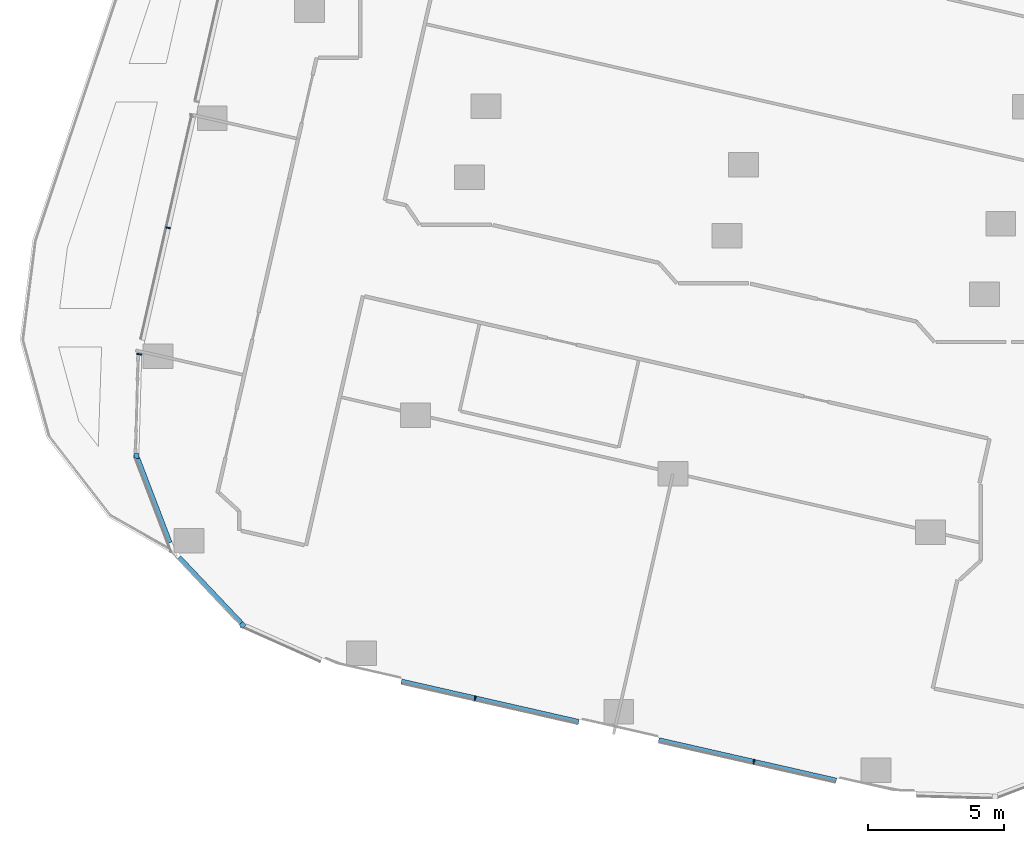
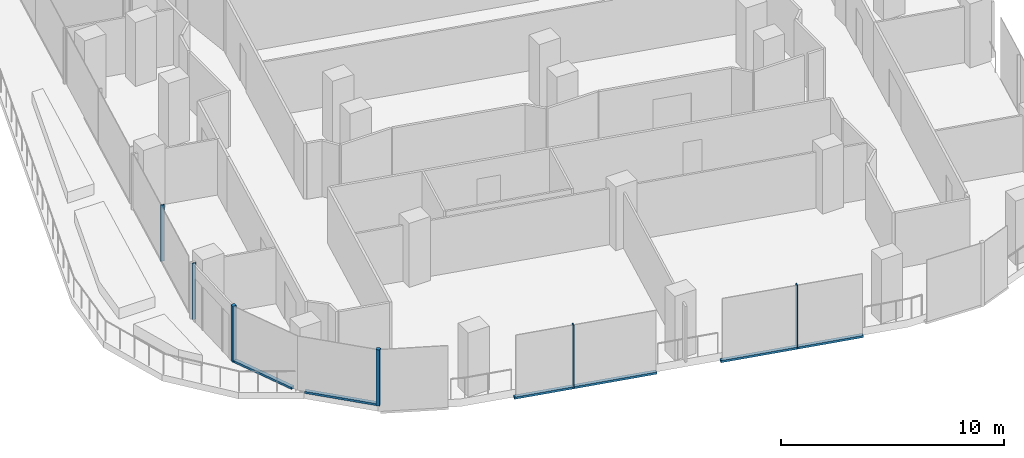
# One storey, part 2 of 28: 10 members, 5 elements without a shape of their own.
"""IFC4 building model written with IfcOpenShell, lengths in metres."""

from ifc_helpers import new_model, si_unit, direction, frame, origin, origin_2d, place, context, subcontext, project, spatial, rectangle, extrude, material, material_profile, profile_set, type_object, element, aggregate, save


model = new_model("IFC4")

# Units and contexts
model_context = context("Model", 3, precision=1e-05, world=origin(), true_north=direction((0.0, 1.0)))
body_context = subcontext(model_context, "Body", "Model", "MODEL_VIEW")
ifc_project = project(units=[si_unit("LENGTHUNIT", "METRE"), si_unit("AREAUNIT", "SQUARE_METRE"), si_unit("VOLUMEUNIT", "CUBIC_METRE"), si_unit("PLANEANGLEUNIT", "RADIAN"), si_unit("MASSUNIT", "GRAM", prefix="KILO")], contexts=[model_context])

# Site, building, storey
site_placement = place(None, origin())
site = spatial("IfcSite", under=ifc_project, at=site_placement, CompositionType="ELEMENT")
building_placement = place(site_placement, origin())
building = spatial("IfcBuilding", under=site, at=building_placement, Name="Orlundy Tower", CompositionType="ELEMENT")
storey_placement = place(building_placement, frame((0.0, 0.0, 167.10009765625)))
storey = spatial("IfcBuildingStorey", under=building, at=storey_placement, Name="L43", CompositionType="ELEMENT", Elevation=167.10009765625)

# Curtain wall, member
ifc_material_1 = material(Name="Aluminium bronze anodised", Category="aluminium")
curtain_wall_type = type_object("IfcCurtainWallType", Name="CW1 wall", PredefinedType="NOTDEFINED", material=ifc_material_1)
curtain_wall_1_placement = place(storey_placement, origin())
curtain_wall_1 = element("IfcCurtainWall", 1, at=curtain_wall_1_placement, inside=storey, type_object=curtain_wall_type, Name="CW1 run 025", PredefinedType="NOTDEFINED")
ifc_material_2 = material(Name="Aluminium bronze anodised", Category="aluminium")
ifc_material_profile_1 = material_profile(ifc_material_2, rectangle(XDim=0.179931640625, YDim=0.179931640625, at=origin_2d()), Name="CW1 corner post 180x180")
ifc_profile_set_1 = profile_set([ifc_material_profile_1], Name="Aluminium bronze anodised")
member_type_1 = type_object("IfcMemberType", Name="CW1 corner post 180x180", PredefinedType="MULLION", material=ifc_profile_set_1)
member_1_placement = place(storey_placement, frame((-27.113037109375, -55.21875, 0.0), z_axis=(0.0, 0.0, 1.0), x_axis=(-0.726526655942, -0.68713828172, 0.0)))
member_1 = element("IfcMember", 2, at=member_1_placement, type_object=member_type_1, Name="CW1 mullion 58", PredefinedType="MULLION", context=body_context, shape_type="SweptSolid", body=[
    extrude(rectangle(XDim=0.179931640625, YDim=0.179931640625, at=origin_2d()), origin(), (0.0, 0.0, 1.0), 3.079833984375),
])

curtain_wall_2_placement = place(storey_placement, origin())
curtain_wall_2 = element("IfcCurtainWall", 3, at=curtain_wall_2_placement, inside=storey, type_object=curtain_wall_type, Name="CW1 run 027", PredefinedType="NOTDEFINED")
member_2_placement = place(storey_placement, frame((-31.021484375, -49.00439453125, 0.0), z_axis=(0.0, 0.0, 1.0), x_axis=(-0.999613796342, 0.027789533343, 0.0)))
member_2 = element("IfcMember", 4, at=member_2_placement, type_object=member_type_1, Name="CW1 mullion 60", PredefinedType="MULLION", context=body_context, shape_type="SweptSolid", body=[
    extrude(rectangle(XDim=0.179931640625, YDim=0.179931640625, at=origin_2d()), origin(), (0.0, 0.0, 1.0), 3.079833984375),
])
aggregate(curtain_wall_2, [member_2])

# Curtain wall, members
curtain_wall_3_placement = place(storey_placement, origin())
curtain_wall_3 = element("IfcCurtainWall", 5, at=curtain_wall_3_placement, inside=storey, type_object=curtain_wall_type, Name="CW1 run 00", PredefinedType="NOTDEFINED")
ifc_material_3 = material(Name="Aluminium bronze anodised", Category="aluminium")
ifc_material_profile_2 = material_profile(ifc_material_3, rectangle(XDim=0.179931640625, YDim=0.050048828125, at=origin_2d()), Name="CW1 mullion 50x180")
ifc_profile_set_2 = profile_set([ifc_material_profile_2], Name="Aluminium bronze anodised")
member_type_2 = type_object("IfcMemberType", Name="CW1 mullion 50x180", PredefinedType="MULLION", material=ifc_profile_set_2)
member_3_placement = place(storey_placement, frame((-30.917724609375, -45.272705078125, 0.0), z_axis=(0.0, 0.0, 1.0), x_axis=(-0.992087726333, 0.12554657805, 0.0)))
member_3 = element("IfcMember", 6, at=member_3_placement, type_object=member_type_2, Name="CW1 mullion 1", PredefinedType="MULLION", context=body_context, shape_type="SweptSolid", body=[
    extrude(rectangle(XDim=0.179931640625, YDim=0.050048828125, at=origin_2d()), origin(), (0.0, 0.0, 1.0), 3.079833984375),
])
member_4_placement = place(storey_placement, frame((-29.859619140625, -40.62744140625, 0.0), z_axis=(0.0, 0.0, 1.0), x_axis=(-0.97502463614, 0.222096733251, 0.0)))
member_4 = element("IfcMember", 7, at=member_4_placement, type_object=member_type_2, Name="CW1 mullion 2", PredefinedType="MULLION", context=body_context, shape_type="SweptSolid", body=[
    extrude(rectangle(XDim=0.179931640625, YDim=0.050048828125, at=origin_2d()), origin(), (0.0, 0.0, 1.0), 3.079833984375),
])
aggregate(curtain_wall_3, [member_3, member_4])

curtain_wall_4_placement = place(storey_placement, origin())
curtain_wall_4 = element("IfcCurtainWall", 8, at=curtain_wall_4_placement, inside=storey, type_object=curtain_wall_type, Name="CW1 run 023", PredefinedType="NOTDEFINED")
member_5_placement = place(storey_placement, frame((-8.3388671875, -60.24267578125, -0.420166015625), z_axis=(0.0, 0.0, 1.0), x_axis=(-0.222090335048, -0.975026093537, 0.0)))
member_5 = element("IfcMember", 9, at=member_5_placement, type_object=member_type_2, Name="CW1 mullion 54", PredefinedType="MULLION", context=body_context, shape_type="SweptSolid", body=[
    extrude(rectangle(XDim=0.179931640625, YDim=0.050048828125, at=origin_2d()), origin(), (0.0, 0.0, 1.0), 3.5),
])
member_6_placement = place(storey_placement, frame((-18.576904296875, -57.91064453125, -0.420166015625), z_axis=(0.0, 0.0, 1.0), x_axis=(-0.222090335048, -0.975026093537, 0.0)))
member_6 = element("IfcMember", 10, at=member_6_placement, type_object=member_type_2, Name="CW1 mullion 56", PredefinedType="MULLION", context=body_context, shape_type="SweptSolid", body=[
    extrude(rectangle(XDim=0.179931640625, YDim=0.050048828125, at=origin_2d()), origin(), (0.0, 0.0, 1.0), 3.5),
])
ifc_material_4 = material(Name="Aluminium bronze anodised", Category="aluminium")
ifc_material_profile_3 = material_profile(ifc_material_4, rectangle(XDim=0.179931640625, YDim=0.1201171875, at=origin_2d()), Name="CW1 transom 180x120")
ifc_profile_set_3 = profile_set([ifc_material_profile_3], Name="Aluminium bronze anodised")
member_type_3 = type_object("IfcMemberType", Name="CW1 transom 180x120", PredefinedType="USERDEFINED", material=ifc_profile_set_3)
member_7_placement = place(storey_placement, frame((-5.31494140625, -60.931640625, -0.360107421875), z_axis=(-0.975025883528, 0.222091257034, 0.0), x_axis=(-0.222091257034, -0.975025883528, 0.0)))
member_7 = element("IfcMember", 11, at=member_7_placement, type_object=member_type_3, Name="CW1 transom", ObjectType="TRANSOM", PredefinedType="USERDEFINED", context=body_context, shape_type="SweptSolid", body=[
    extrude(rectangle(XDim=0.179931640625, YDim=0.1201171875, at=origin_2d()), origin(), (0.0, 0.0, 1.0), 6.68798828125),
])
member_8_placement = place(storey_placement, frame((-14.77392578125, -58.777099609375, -0.360107421875), z_axis=(-0.975021488192, 0.222110552574, 0.0), x_axis=(-0.222110552574, -0.975021488192, 0.0)))
member_8 = element("IfcMember", 12, at=member_8_placement, type_object=member_type_3, Name="CW1 transom", ObjectType="TRANSOM", PredefinedType="USERDEFINED", context=body_context, shape_type="SweptSolid", body=[
    extrude(rectangle(XDim=0.179931640625, YDim=0.1201171875, at=origin_2d()), origin(), (0.0, 0.0, 1.0), 6.68310546875),
])
aggregate(curtain_wall_4, [member_5, member_6, member_7, member_8])

# Member
member_9_placement = place(storey_placement, frame((-27.1748046875, -55.153564453125, 0.059814453125), z_axis=(-0.687128806217, 0.726535617617, 0.0), x_axis=(-0.726535617617, -0.687128806217, 0.0)))
member_9 = element("IfcMember", 13, at=member_9_placement, type_object=member_type_3, Name="CW1 transom", ObjectType="TRANSOM", PredefinedType="USERDEFINED", context=body_context, shape_type="SweptSolid", body=[
    extrude(rectangle(XDim=0.179931640625, YDim=0.1201171875, at=origin_2d()), origin(), (0.0, 0.0, 1.0), 3.3330078125),
])

aggregate(curtain_wall_1, [member_1, member_9])

# Curtain wall, member
curtain_wall_5_placement = place(storey_placement, origin())
curtain_wall_5 = element("IfcCurtainWall", 14, at=curtain_wall_5_placement, inside=storey, type_object=curtain_wall_type, Name="CW1 run 026", PredefinedType="NOTDEFINED")
member_10_placement = place(storey_placement, frame((-29.799072265625, -52.200927734375, 0.059814453125), z_axis=(-0.35716761429, 0.934040307108, 0.0), x_axis=(-0.934040307108, -0.35716761429, 0.0)))
member_10 = element("IfcMember", 15, at=member_10_placement, type_object=member_type_3, Name="CW1 transom", ObjectType="TRANSOM", PredefinedType="USERDEFINED", context=body_context, shape_type="SweptSolid", body=[
    extrude(rectangle(XDim=0.179931640625, YDim=0.1201171875, at=origin_2d()), origin(), (0.0, 0.0, 1.0), 3.32470703125),
])
aggregate(curtain_wall_5, [member_10])

save(model, "model.ifc")
